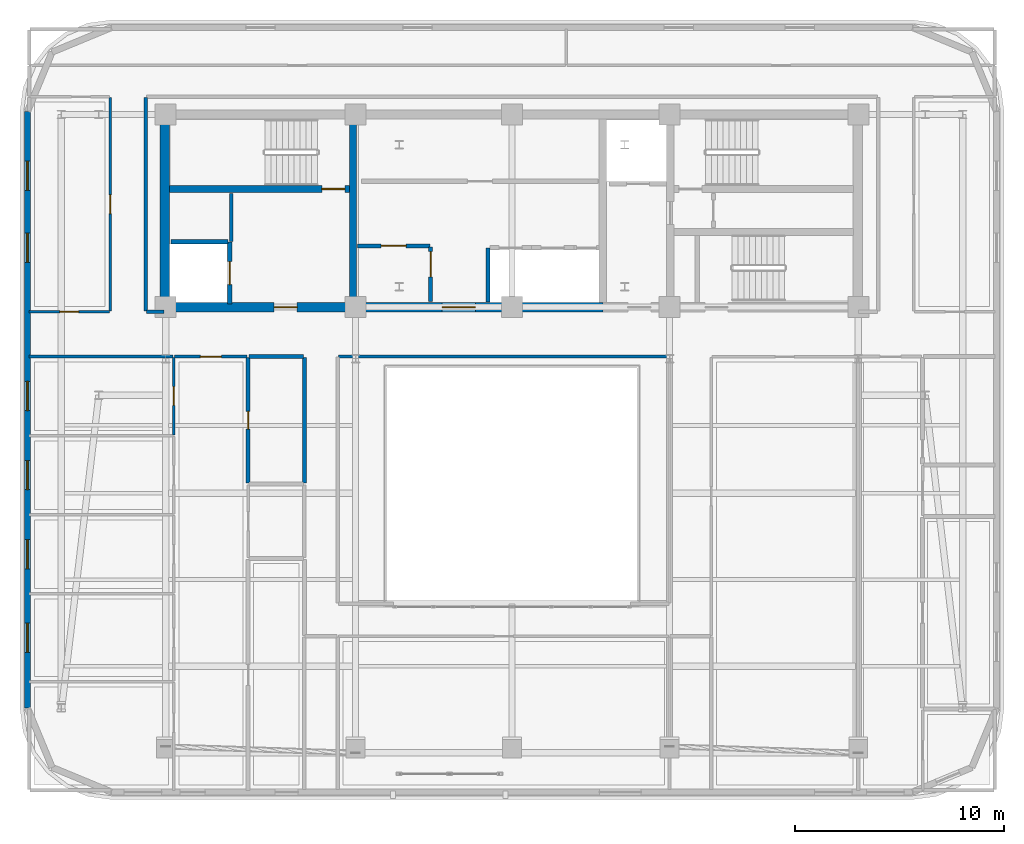
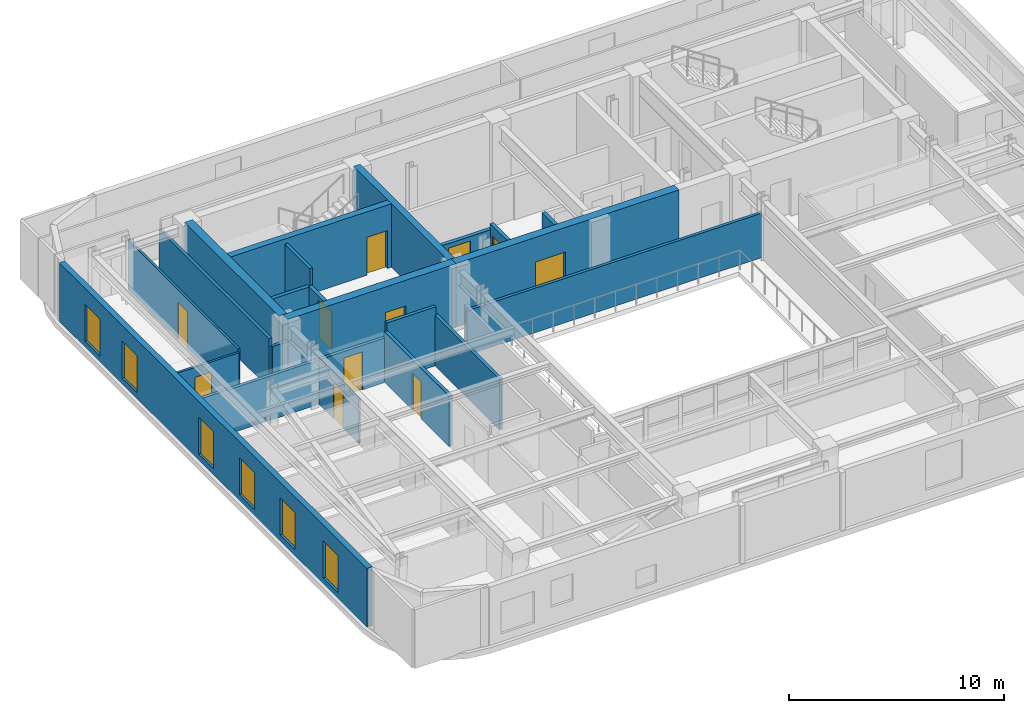
# One storey, part 7 of 14: 23 walls, 11 doors, 6 windows, 17 openings.
"""IFC4 building model written with IfcOpenShell, lengths in metres."""

from ifc_helpers import new_model, si_unit, direction, frame, frame_2d, origin, place, context, subcontext, project, spatial, rectangle, extrude, material, layer, layer_set, type_object, element, fill, save


model = new_model("IFC4")

# Units and contexts
model_context = context("Model", 3, precision=1e-05, world=origin(), true_north=direction((0.0, 1.0)))
body_context = subcontext(model_context, "Body", "Model", "MODEL_VIEW")
ifc_project = project(units=[si_unit("LENGTHUNIT", "METRE"), si_unit("AREAUNIT", "SQUARE_METRE"), si_unit("VOLUMEUNIT", "CUBIC_METRE"), si_unit("PLANEANGLEUNIT", "RADIAN"), si_unit("MASSUNIT", "GRAM", prefix="KILO")], contexts=[model_context])

# Site, building, storey
site_placement = place(None, origin())
site = spatial("IfcSite", under=ifc_project, at=site_placement, CompositionType="ELEMENT")
building_placement = place(site_placement, origin())
building = spatial("IfcBuilding", under=site, at=building_placement, Name="Zarnavel Station Tower", CompositionType="ELEMENT")
storey_placement = place(building_placement, frame((0.0, 0.0, 214.800048828125)))
storey = spatial("IfcBuildingStorey", under=building, at=storey_placement, Name="L58", CompositionType="ELEMENT", Elevation=214.800048828125)

# Wall
ifc_material_1 = material(Name="Concrete C50/60", Category="concrete")
ifc_layer_1 = layer(ifc_material_1, 0.35009765625)
ifc_layer_set_1 = layer_set([ifc_layer_1], Name="CW_350")
wall_type_1 = type_object("IfcWallType", Name="CW_350", PredefinedType="SHEAR", material=ifc_layer_set_1)
wall_1_placement = place(storey_placement, frame((21.179931640625, 28.044921875, 0.0), z_axis=(0.0, 0.0, 1.0), x_axis=(0.0, 1.0, 0.0)))
element("IfcWall", 1, at=wall_1_placement, inside=storey, type_object=wall_type_1, Name="L58 Rear Core Shear Wall DIV-W", PredefinedType="SHEAR", context=body_context, shape_type="SweptSolid", body=[
    extrude(rectangle(XDim=8.780029296875, YDim=0.35009765625, at=frame_2d((4.39013671875, 0.0))), origin(), (0.0, 0.0, 1.0), 3.599853515625),
])

# Wall, opening, door
wall_2_placement = place(storey_placement, frame((21.0048828125, 33.47998046875, 0.0), z_axis=(0.0, 0.0, 1.0), x_axis=(-1.0, 0.0, 0.0)))
wall_2 = element("IfcWall", 2, at=wall_2_placement, inside=storey, type_object=wall_type_1, Name="L58 Rear Core Shear Wall DIV-H1", PredefinedType="SHEAR", context=body_context, shape_type="SweptSolid", body=[
    extrude(rectangle(XDim=8.6298828125, YDim=0.35009765625, at=frame_2d((4.31494140625, 0.0))), origin(), (0.0, 0.0, 1.0), 3.599853515625),
])
opening_1_placement = place(wall_2_placement, frame((0.219970703125, 0.0, 0.0)))
opening_1 = element("IfcOpeningElement", 3, at=opening_1_placement, cuts=wall_2, Name="Opening FD01", PredefinedType="OPENING", context=body_context, shape_type="SweptSolid", body=[
    extrude(rectangle(XDim=1.10009765625, YDim=2.14990234375, at=frame_2d((0.550048828125, 1.074951171875))), frame((0.0, 0.18505859375, 0.0), z_axis=(0.0, -1.0, 0.0), x_axis=(1.0, 0.0, 0.0)), (0.0, 0.0, 1.0), 0.3701171875),
])
ifc_material_2 = material(Name="Painted Galvanised Steel and Hardwood Leaf", Category="steel")
door_type_1 = type_object("IfcDoorType", Name="ID_STAIR_1100", OperationType="NOTDEFINED", PredefinedType="DOOR", material=ifc_material_2)
door_1_placement = place(opening_1_placement, origin())
door_1 = element("IfcDoor", 4, at=door_1_placement, inside=storey, type_object=door_type_1, Name="L58 Stair ST1 Lobby Fire Door", OperationType="SINGLE_SWING_LEFT", OverallHeight=2.14990234375, OverallWidth=1.10009765625, PredefinedType="DOOR", context=body_context, shape_type="SweptSolid", body=[
    extrude(rectangle(XDim=1.10009765625, YDim=2.14990234375, at=frame_2d((0.550048828125, 1.074951171875))), frame((0.0, 0.02490234375, 0.0), z_axis=(0.0, -1.0, 0.0), x_axis=(1.0, 0.0, 0.0)), (0.0, 0.0, 1.0), 0.050048828125),
])
fill(opening_1, door_1)

ifc_material_3 = material(Name="Concrete C50/60", Category="concrete")
ifc_layer_2 = layer(ifc_material_3, 0.449951171875)
ifc_layer_set_2 = layer_set([ifc_layer_2], Name="CW_450")
wall_type_2 = type_object("IfcWallType", Name="CW_450", PredefinedType="SHEAR", material=ifc_layer_set_2)
wall_3_placement = place(storey_placement, frame((21.179931640625, 27.820068359375, 0.0), z_axis=(0.0, 0.0, 1.0), x_axis=(-1.0, 0.0, 0.0)))
wall_3 = element("IfcWall", 5, at=wall_3_placement, inside=storey, type_object=wall_type_2, Name="L58 Rear Core Shear Wall S-W", PredefinedType="SHEAR", context=body_context, shape_type="SweptSolid", body=[
    extrude(rectangle(XDim=9.030029296875, YDim=0.449951171875, at=frame_2d((4.51513671875, 0.0))), origin(), (0.0, 0.0, 1.0), 3.599853515625),
])
opening_2_placement = place(wall_3_placement, frame((2.679931640625, 0.0, 0.0)))
opening_2 = element("IfcOpeningElement", 6, at=opening_2_placement, cuts=wall_3, Name="Opening FD01", PredefinedType="OPENING", context=body_context, shape_type="SweptSolid", body=[
    extrude(rectangle(XDim=1.10009765625, YDim=2.14990234375, at=frame_2d((0.550048828125, 1.074951171875))), frame((0.0, 0.23486328125, 0.0), z_axis=(0.0, -1.0, 0.0), x_axis=(1.0, 0.0, 0.0)), (0.0, 0.0, 1.0), 0.469970703125),
])
door_2_placement = place(opening_2_placement, origin())
door_2 = element("IfcDoor", 7, at=door_2_placement, inside=storey, type_object=door_type_1, Name="L58 West Firefighting Lobby Door", OperationType="SINGLE_SWING_RIGHT", OverallHeight=2.14990234375, OverallWidth=1.10009765625, PredefinedType="DOOR", context=body_context, shape_type="SweptSolid", body=[
    extrude(rectangle(XDim=1.10009765625, YDim=2.14990234375, at=frame_2d((0.550048828125, 1.074951171875))), frame((0.0, 0.02490234375, 0.0), z_axis=(0.0, -1.0, 0.0), x_axis=(1.0, 0.0, 0.0)), (0.0, 0.0, 1.0), 0.050048828125),
])
fill(opening_2, door_2)

wall_4_placement = place(storey_placement, frame((33.14990234375, 27.820068359375, 0.0), z_axis=(0.0, 0.0, 1.0), x_axis=(-1.0, 0.0, 0.0)))
wall_4 = element("IfcWall", 8, at=wall_4_placement, inside=storey, type_object=wall_type_2, Name="L58 Rear Core Shear Wall S-M", PredefinedType="SHEAR", context=body_context, shape_type="SweptSolid", body=[
    extrude(rectangle(XDim=11.969970703125, YDim=0.449951171875, at=frame_2d((5.98486328125, 0.0))), origin(), (0.0, 0.0, 1.0), 3.599853515625),
])
opening_3_placement = place(wall_4_placement, frame((6.10009765625, 0.0, 0.0)))
opening_3 = element("IfcOpeningElement", 9, at=opening_3_placement, cuts=wall_4, Name="Opening ID03", PredefinedType="OPENING", context=body_context, shape_type="SweptSolid", body=[
    extrude(rectangle(XDim=1.60009765625, YDim=2.199951171875, at=frame_2d((0.800048828125, 1.10009765625))), frame((0.0, 0.23486328125, 0.0), z_axis=(0.0, -1.0, 0.0), x_axis=(1.0, 0.0, 0.0)), (0.0, 0.0, 1.0), 0.469970703125),
])
ifc_material_4 = material(Name="Painted Galvanised Steel and Hardwood Leaf", Category="steel")
door_type_2 = type_object("IfcDoorType", Name="ID_PUBLIC_1600", OperationType="DOUBLE_DOOR_SINGLE_SWING", PredefinedType="DOOR", material=ifc_material_4)
door_3_placement = place(opening_3_placement, origin())
door_3 = element("IfcDoor", 10, at=door_3_placement, inside=storey, type_object=door_type_2, Name="L58 Passenger Lift Lobby Double Door", OperationType="SINGLE_SWING_LEFT", OverallHeight=2.199951171875, OverallWidth=1.60009765625, PredefinedType="DOOR", context=body_context, shape_type="SweptSolid", body=[
    extrude(rectangle(XDim=1.60009765625, YDim=2.199951171875, at=frame_2d((0.800048828125, 1.10009765625))), frame((0.0, 0.02490234375, 0.0), z_axis=(0.0, -1.0, 0.0), x_axis=(1.0, 0.0, 0.0)), (0.0, 0.0, 1.0), 0.050048828125),
])
fill(opening_3, door_3)

# Wall
wall_5_placement = place(storey_placement, frame((12.14990234375, 28.044921875, 0.0), z_axis=(0.0, 0.0, 1.0), x_axis=(0.0, 1.0, 0.0)))
element("IfcWall", 11, at=wall_5_placement, inside=storey, type_object=wall_type_2, Name="L58 Rear Core Shear Wall W", PredefinedType="SHEAR", context=body_context, shape_type="SweptSolid", body=[
    extrude(rectangle(XDim=8.780029296875, YDim=0.449951171875, at=frame_2d((4.39013671875, 0.0))), origin(), (0.0, 0.0, 1.0), 3.599853515625),
])

# Wall, openings, windows
ifc_material_5 = material(Name="Precast concrete C45/55 (Dark Basalt Finish)", Category="masonry")
ifc_layer_3 = layer(ifc_material_5, 0.300048828125)
ifc_layer_set_3 = layer_set([ifc_layer_3], Name="EW_BASALT_300")
wall_type_3 = type_object("IfcWallType", Name="EW_BASALT_300", PredefinedType="SOLIDWALL", material=ifc_layer_set_3)
wall_6_placement = place(storey_placement, frame((5.580078125, 8.60009765625, 0.0), z_axis=(0.0, 0.0, 1.0), x_axis=(0.0, 1.0, 0.0)))
wall_6 = element("IfcWall", 12, at=wall_6_placement, inside=storey, type_object=wall_type_3, Name="L58 Exterior Basalt Masonry Frame Wall 09", PredefinedType="SOLIDWALL", context=body_context, shape_type="SweptSolid", body=[
    extrude(rectangle(XDim=28.599853515625, YDim=0.300048828125, at=frame_2d((14.2998046875, 0.0))), origin(), (0.0, 0.0, 1.0), 3.33984375),
])
opening_4_placement = place(wall_6_placement, frame((21.360107421875, 0.0, 0.340087890625)))
opening_4 = element("IfcOpeningElement", 13, at=opening_4_placement, cuts=wall_6, Name="Opening WN04", PredefinedType="OPENING", context=body_context, shape_type="SweptSolid", body=[
    extrude(rectangle(XDim=1.39990234375, YDim=2.10009765625, at=frame_2d((0.699951171875, 1.050048828125))), frame((0.0, 0.159912109375, 0.0), z_axis=(0.0, -1.0, 0.0), x_axis=(1.0, 0.0, 0.0)), (0.0, 0.0, 1.0), 0.320068359375),
])
opening_5_placement = place(wall_6_placement, frame((24.820068359375, 0.0, 0.340087890625)))
opening_5 = element("IfcOpeningElement", 14, at=opening_5_placement, cuts=wall_6, Name="Opening WN04", PredefinedType="OPENING", context=body_context, shape_type="SweptSolid", body=[
    extrude(rectangle(XDim=1.39990234375, YDim=2.10009765625, at=frame_2d((0.699951171875, 1.050048828125))), frame((0.0, 0.159912109375, 0.0), z_axis=(0.0, -1.0, 0.0), x_axis=(1.0, 0.0, 0.0)), (0.0, 0.0, 1.0), 0.320068359375),
])
opening_6_placement = place(wall_6_placement, frame((2.6708984375, 0.0, 0.340087890625)))
opening_6 = element("IfcOpeningElement", 15, at=opening_6_placement, cuts=wall_6, Name="Opening WN04", PredefinedType="OPENING", context=body_context, shape_type="SweptSolid", body=[
    extrude(rectangle(XDim=1.39990234375, YDim=2.10009765625, at=frame_2d((0.699951171875, 1.050048828125))), frame((0.0, 0.159912109375, 0.0), z_axis=(0.0, -1.0, 0.0), x_axis=(1.0, 0.0, 0.0)), (0.0, 0.0, 1.0), 0.320068359375),
])
opening_7_placement = place(wall_6_placement, frame((6.678955078125, 0.0, 0.340087890625)))
opening_7 = element("IfcOpeningElement", 16, at=opening_7_placement, cuts=wall_6, Name="Opening WN04", PredefinedType="OPENING", context=body_context, shape_type="SweptSolid", body=[
    extrude(rectangle(XDim=1.39990234375, YDim=2.10009765625, at=frame_2d((0.699951171875, 1.050048828125))), frame((0.0, 0.159912109375, 0.0), z_axis=(0.0, -1.0, 0.0), x_axis=(1.0, 0.0, 0.0)), (0.0, 0.0, 1.0), 0.320068359375),
])
opening_8_placement = place(wall_6_placement, frame((10.467041015625, 0.0, 0.340087890625)))
opening_8 = element("IfcOpeningElement", 17, at=opening_8_placement, cuts=wall_6, Name="Opening WN04", PredefinedType="OPENING", context=body_context, shape_type="SweptSolid", body=[
    extrude(rectangle(XDim=1.39990234375, YDim=2.10009765625, at=frame_2d((0.699951171875, 1.050048828125))), frame((0.0, 0.159912109375, 0.0), z_axis=(0.0, -1.0, 0.0), x_axis=(1.0, 0.0, 0.0)), (0.0, 0.0, 1.0), 0.320068359375),
])
opening_9_placement = place(wall_6_placement, frame((14.255615234375, 0.0, 0.340087890625)))
opening_9 = element("IfcOpeningElement", 18, at=opening_9_placement, cuts=wall_6, Name="Opening WN04", PredefinedType="OPENING", context=body_context, shape_type="SweptSolid", body=[
    extrude(rectangle(XDim=1.39990234375, YDim=2.10009765625, at=frame_2d((0.699951171875, 1.050048828125))), frame((0.0, 0.159912109375, 0.0), z_axis=(0.0, -1.0, 0.0), x_axis=(1.0, 0.0, 0.0)), (0.0, 0.0, 1.0), 0.320068359375),
])
ifc_material_6 = material(Name="Thermally Broken Black Aluminium and Low-E Dark Glass", Category="aluminium")
window_type = type_object("IfcWindowType", Name="WN_1400x2100", PartitioningType="DOUBLE_PANEL_VERTICAL", PredefinedType="WINDOW", material=ifc_material_6)
window_1_placement = place(opening_4_placement, origin())
window_1 = element("IfcWindow", 19, at=window_1_placement, inside=storey, type_object=window_type, Name="L58 Recessed Facade Window 01", OverallHeight=2.10009765625, OverallWidth=1.39990234375, PartitioningType="SINGLE_PANEL", PredefinedType="WINDOW", context=body_context, shape_type="SweptSolid", body=[
    extrude(rectangle(XDim=1.39990234375, YDim=2.10009765625, at=frame_2d((0.699951171875, 1.050048828125))), frame((0.0, 0.030029296875, 0.0), z_axis=(0.0, -1.0, 0.0), x_axis=(1.0, 0.0, 0.0)), (0.0, 0.0, 1.0), 0.06005859375),
])
fill(opening_4, window_1)
window_2_placement = place(opening_5_placement, origin())
window_2 = element("IfcWindow", 20, at=window_2_placement, inside=storey, type_object=window_type, Name="L58 Recessed Facade Window 02", OverallHeight=2.10009765625, OverallWidth=1.39990234375, PartitioningType="SINGLE_PANEL", PredefinedType="WINDOW", context=body_context, shape_type="SweptSolid", body=[
    extrude(rectangle(XDim=1.39990234375, YDim=2.10009765625, at=frame_2d((0.699951171875, 1.050048828125))), frame((0.0, 0.030029296875, 0.0), z_axis=(0.0, -1.0, 0.0), x_axis=(1.0, 0.0, 0.0)), (0.0, 0.0, 1.0), 0.06005859375),
])
fill(opening_5, window_2)
window_3_placement = place(opening_6_placement, origin())
window_3 = element("IfcWindow", 21, at=window_3_placement, inside=storey, type_object=window_type, Name="L58 Recessed Facade Window 03", OverallHeight=2.10009765625, OverallWidth=1.39990234375, PartitioningType="SINGLE_PANEL", PredefinedType="WINDOW", context=body_context, shape_type="SweptSolid", body=[
    extrude(rectangle(XDim=1.39990234375, YDim=2.10009765625, at=frame_2d((0.699951171875, 1.050048828125))), frame((0.0, 0.030029296875, 0.0), z_axis=(0.0, -1.0, 0.0), x_axis=(1.0, 0.0, 0.0)), (0.0, 0.0, 1.0), 0.06005859375),
])
fill(opening_6, window_3)
window_4_placement = place(opening_7_placement, origin())
window_4 = element("IfcWindow", 22, at=window_4_placement, inside=storey, type_object=window_type, Name="L58 Recessed Facade Window 04", OverallHeight=2.10009765625, OverallWidth=1.39990234375, PartitioningType="SINGLE_PANEL", PredefinedType="WINDOW", context=body_context, shape_type="SweptSolid", body=[
    extrude(rectangle(XDim=1.39990234375, YDim=2.10009765625, at=frame_2d((0.699951171875, 1.050048828125))), frame((0.0, 0.030029296875, 0.0), z_axis=(0.0, -1.0, 0.0), x_axis=(1.0, 0.0, 0.0)), (0.0, 0.0, 1.0), 0.06005859375),
])
fill(opening_7, window_4)
window_5_placement = place(opening_8_placement, origin())
window_5 = element("IfcWindow", 23, at=window_5_placement, inside=storey, type_object=window_type, Name="L58 Recessed Facade Window 05", OverallHeight=2.10009765625, OverallWidth=1.39990234375, PartitioningType="SINGLE_PANEL", PredefinedType="WINDOW", context=body_context, shape_type="SweptSolid", body=[
    extrude(rectangle(XDim=1.39990234375, YDim=2.10009765625, at=frame_2d((0.699951171875, 1.050048828125))), frame((0.0, 0.030029296875, 0.0), z_axis=(0.0, -1.0, 0.0), x_axis=(1.0, 0.0, 0.0)), (0.0, 0.0, 1.0), 0.06005859375),
])
fill(opening_8, window_5)
window_6_placement = place(opening_9_placement, origin())
window_6 = element("IfcWindow", 24, at=window_6_placement, inside=storey, type_object=window_type, Name="L58 Recessed Facade Window 06", OverallHeight=2.10009765625, OverallWidth=1.39990234375, PartitioningType="SINGLE_PANEL", PredefinedType="WINDOW", context=body_context, shape_type="SweptSolid", body=[
    extrude(rectangle(XDim=1.39990234375, YDim=2.10009765625, at=frame_2d((0.699951171875, 1.050048828125))), frame((0.0, 0.030029296875, 0.0), z_axis=(0.0, -1.0, 0.0), x_axis=(1.0, 0.0, 0.0)), (0.0, 0.0, 1.0), 0.06005859375),
])
fill(opening_9, window_6)

# Wall, opening, door
ifc_material_7 = material(Name="Gypsum Twin-Stud Acoustic Fire Partition", Category="concrete")
ifc_layer_4 = layer(ifc_material_7, 0.159912109375)
ifc_layer_set_4 = layer_set([ifc_layer_4], Name="PT_DEMISE_160")
wall_type_4 = type_object("IfcWallType", Name="PT_DEMISE_160", PredefinedType="PARTITIONING", material=ifc_layer_set_4)
wall_7_placement = place(storey_placement, frame((12.631103515625, 25.449951171875, 0.0), z_axis=(0.0, 0.0, 1.0), x_axis=(1.0, 0.0, 0.0)))
wall_7 = element("IfcWall", 25, at=wall_7_placement, inside=storey, type_object=wall_type_4, Name="L58 Partition COR-S-UW1LV", PredefinedType="PARTITIONING", context=body_context, shape_type="SweptSolid", body=[
    extrude(rectangle(XDim=3.47900390625, YDim=0.159912109375, at=frame_2d((1.739501953125, 0.0))), origin(), (0.0, 0.0, 1.0), 2.52001953125),
])
opening_10_placement = place(wall_7_placement, frame((1.239501953125, 0.0, 0.0)))
opening_10 = element("IfcOpeningElement", 26, at=opening_10_placement, cuts=wall_7, Name="Opening FD02", PredefinedType="OPENING", context=body_context, shape_type="SweptSolid", body=[
    extrude(rectangle(XDim=1.0, YDim=2.14990234375, at=frame_2d((0.5, 1.074951171875))), frame((0.0, 0.08984375, 0.0), z_axis=(0.0, -1.0, 0.0), x_axis=(1.0, 0.0, 0.0)), (0.0, 0.0, 1.0), 0.179931640625),
])
ifc_material_8 = material(Name="Painted Galvanised Steel and Hardwood Leaf", Category="steel")
door_type_3 = type_object("IfcDoorType", Name="ID_ENTRY_1000", OperationType="NOTDEFINED", PredefinedType="DOOR", material=ifc_material_8)
door_4_placement = place(opening_10_placement, origin())
door_4 = element("IfcDoor", 27, at=door_4_placement, inside=storey, type_object=door_type_3, Name="L58 Door COR-S-UW1LV", OperationType="SINGLE_SWING_RIGHT", OverallHeight=2.14990234375, OverallWidth=1.0, PredefinedType="DOOR", context=body_context, shape_type="SweptSolid", body=[
    extrude(rectangle(XDim=1.0, YDim=2.14990234375, at=frame_2d((0.5, 1.074951171875))), frame((0.0, 0.02490234375, 0.0), z_axis=(0.0, -1.0, 0.0), x_axis=(1.0, 0.0, 0.0)), (0.0, 0.0, 1.0), 0.050048828125),
])
fill(opening_10, door_4)

# Walls
wall_8_placement = place(storey_placement, frame((5.659912109375, 25.449951171875, 0.0), z_axis=(0.0, 0.0, 1.0), x_axis=(1.0, 0.0, 0.0)))
element("IfcWall", 28, at=wall_8_placement, inside=storey, type_object=wall_type_4, Name="L58 Partition COR-S-UW1B5", PredefinedType="PARTITIONING", context=body_context, shape_type="SweptSolid", body=[
    extrude(rectangle(XDim=6.89111328125, YDim=0.159912109375, at=frame_2d((3.445556640625, 0.0))), origin(), (0.0, 0.0, 1.0), 2.52001953125),
])
wall_9_placement = place(storey_placement, frame((15.35009765625, 30.9599609375, 0.0), z_axis=(0.0, 0.0, 1.0), x_axis=(0.0, 1.0, 0.0)))
element("IfcWall", 29, at=wall_9_placement, inside=storey, type_object=wall_type_4, Name="L58 Enclosure Wall FFL1", PredefinedType="PARTITIONING", context=body_context, shape_type="SweptSolid", body=[
    extrude(rectangle(XDim=2.31005859375, YDim=0.159912109375, at=frame_2d((1.155029296875, 0.0))), origin(), (0.0, 0.0, 1.0), 3.33984375),
])
wall_10_placement = place(storey_placement, frame((20.47998046875, 25.449951171875, 0.0), z_axis=(0.0, 0.0, 1.0), x_axis=(1.0, 0.0, 0.0)))
element("IfcWall", 30, at=wall_10_placement, inside=storey, type_object=wall_type_4, Name="L58 Enclosure Wall COR-S", PredefinedType="PARTITIONING", context=body_context, shape_type="SweptSolid", body=[
    extrude(rectangle(XDim=15.840087890625, YDim=0.159912109375, at=frame_2d((7.919921875, 0.0))), origin(), (0.0, 0.0, 1.0), 2.52001953125),
])
wall_11_placement = place(storey_placement, frame((11.280029296875, 27.60009765625, 0.0), z_axis=(0.0, 0.0, 1.0), x_axis=(1.0, 0.0, 0.0)))
element("IfcWall", 31, at=wall_11_placement, inside=storey, type_object=wall_type_4, Name="L58 Enclosure Wall COR-S", PredefinedType="PARTITIONING", context=body_context, shape_type="SweptSolid", body=[
    extrude(rectangle(XDim=0.840087890625, YDim=0.159912109375, at=frame_2d((0.419921875, 0.0))), origin(), (0.0, 0.0, 1.0), 2.409912109375),
])
wall_12_placement = place(storey_placement, frame((11.25, 27.6298828125, 0.0), z_axis=(0.0, 0.0, 1.0), x_axis=(0.0, 1.0, 0.0)))
element("IfcWall", 32, at=wall_12_placement, inside=storey, type_object=wall_type_4, Name="L58 Enclosure Wall COR-W", PredefinedType="PARTITIONING", context=body_context, shape_type="SweptSolid", body=[
    extrude(rectangle(XDim=10.240234375, YDim=0.159912109375, at=frame_2d((5.1201171875, 0.0))), origin(), (0.0, 0.0, 1.0), 2.820068359375),
])

# Wall, opening, door
ifc_material_9 = material(Name="Gypsum Metal-Stud Interior Partition", Category="concrete")
ifc_layer_5 = layer(ifc_material_9, 0.1201171875)
ifc_layer_set_5 = layer_set([ifc_layer_5], Name="PT_ROOM_120")
wall_type_5 = type_object("IfcWallType", Name="PT_ROOM_120", PredefinedType="PARTITIONING", material=ifc_layer_set_5)
wall_13_placement = place(storey_placement, frame((5.659912109375, 27.60009765625, 0.0), z_axis=(0.0, 0.0, 1.0), x_axis=(1.0, 0.0, 0.0)))
wall_13 = element("IfcWall", 33, at=wall_13_placement, inside=storey, type_object=wall_type_5, Name="L58 Partition COR-S-FNW", PredefinedType="PARTITIONING", context=body_context, shape_type="SweptSolid", body=[
    extrude(rectangle(XDim=3.85009765625, YDim=0.1201171875, at=frame_2d((1.925048828125, 0.0))), origin(), (0.0, 0.0, 1.0), 2.669921875),
])
opening_11_placement = place(wall_13_placement, frame((1.47509765625, 0.0, 0.0)))
opening_11 = element("IfcOpeningElement", 34, at=opening_11_placement, cuts=wall_13, Name="Opening ID01", PredefinedType="OPENING", context=body_context, shape_type="SweptSolid", body=[
    extrude(rectangle(XDim=0.89990234375, YDim=2.10009765625, at=frame_2d((0.449951171875, 1.050048828125))), frame((0.0, 0.070068359375, 0.0), z_axis=(0.0, -1.0, 0.0), x_axis=(1.0, 0.0, 0.0)), (0.0, 0.0, 1.0), 0.14013671875),
])
ifc_material_10 = material(Name="Painted Galvanised Steel and Hardwood Leaf", Category="steel")
door_type_4 = type_object("IfcDoorType", Name="ID_ROOM_900", OperationType="NOTDEFINED", PredefinedType="DOOR", material=ifc_material_10)
door_5_placement = place(opening_11_placement, origin())
door_5 = element("IfcDoor", 35, at=door_5_placement, inside=storey, type_object=door_type_4, Name="L58 Door COR-S-FNW", OperationType="SINGLE_SWING_RIGHT", OverallHeight=2.10009765625, OverallWidth=0.89990234375, PredefinedType="DOOR", context=body_context, shape_type="SweptSolid", body=[
    extrude(rectangle(XDim=0.89990234375, YDim=2.10009765625, at=frame_2d((0.449951171875, 1.050048828125))), frame((0.0, 0.02490234375, 0.0), z_axis=(0.0, -1.0, 0.0), x_axis=(1.0, 0.0, 0.0)), (0.0, 0.0, 1.0), 0.050048828125),
])
fill(opening_11, door_5)

wall_14_placement = place(storey_placement, frame((9.550048828125, 27.639892578125, 0.0), z_axis=(0.0, 0.0, 1.0), x_axis=(0.0, 1.0, 0.0)))
wall_14 = element("IfcWall", 36, at=wall_14_placement, inside=storey, type_object=wall_type_5, Name="L58 Partition COR-W-FNW", PredefinedType="PARTITIONING", context=body_context, shape_type="SweptSolid", body=[
    extrude(rectangle(XDim=10.22021484375, YDim=0.1201171875, at=frame_2d((5.110107421875, 0.0))), origin(), (0.0, 0.0, 1.0), 2.820068359375),
])
opening_12_placement = place(wall_14_placement, frame((4.659912109375, 0.0, 0.0)))
opening_12 = element("IfcOpeningElement", 37, at=opening_12_placement, cuts=wall_14, Name="Opening ID01", PredefinedType="OPENING", context=body_context, shape_type="SweptSolid", body=[
    extrude(rectangle(XDim=0.89990234375, YDim=2.10009765625, at=frame_2d((0.449951171875, 1.050048828125))), frame((0.0, 0.070068359375, 0.0), z_axis=(0.0, -1.0, 0.0), x_axis=(1.0, 0.0, 0.0)), (0.0, 0.0, 1.0), 0.14013671875),
])
door_6_placement = place(opening_12_placement, origin())
door_6 = element("IfcDoor", 38, at=door_6_placement, inside=storey, type_object=door_type_4, Name="L58 Door COR-W-FNW", OperationType="SINGLE_SWING_LEFT", OverallHeight=2.10009765625, OverallWidth=0.89990234375, PredefinedType="DOOR", context=body_context, shape_type="SweptSolid", body=[
    extrude(rectangle(XDim=0.89990234375, YDim=2.10009765625, at=frame_2d((0.449951171875, 1.050048828125))), frame((0.0, 0.02490234375, 0.0), z_axis=(0.0, -1.0, 0.0), x_axis=(1.0, 0.0, 0.0)), (0.0, 0.0, 1.0), 0.050048828125),
])
fill(opening_12, door_6)

wall_15_placement = place(storey_placement, frame((12.591064453125, 21.700927734375, 0.0), z_axis=(0.0, 0.0, 1.0), x_axis=(0.0, 1.0, 0.0)))
wall_15 = element("IfcWall", 39, at=wall_15_placement, inside=storey, type_object=wall_type_5, Name="L58 Partition UW1LV-UW1B5", PredefinedType="PARTITIONING", context=body_context, shape_type="SweptSolid", body=[
    extrude(rectangle(XDim=3.708984375, YDim=0.1201171875, at=frame_2d((1.8544921875, 0.0))), origin(), (0.0, 0.0, 1.0), 2.52001953125),
])
opening_13_placement = place(wall_15_placement, frame((1.404541015625, 0.0, 0.0)))
opening_13 = element("IfcOpeningElement", 40, at=opening_13_placement, cuts=wall_15, Name="Opening ID01", PredefinedType="OPENING", context=body_context, shape_type="SweptSolid", body=[
    extrude(rectangle(XDim=0.89990234375, YDim=2.10009765625, at=frame_2d((0.449951171875, 1.050048828125))), frame((0.0, 0.070068359375, 0.0), z_axis=(0.0, -1.0, 0.0), x_axis=(1.0, 0.0, 0.0)), (0.0, 0.0, 1.0), 0.14013671875),
])
door_7_placement = place(opening_13_placement, origin())
door_7 = element("IfcDoor", 41, at=door_7_placement, inside=storey, type_object=door_type_4, Name="L58 Door UW1LV-UW1B5", OperationType="SINGLE_SWING_RIGHT", OverallHeight=2.10009765625, OverallWidth=0.89990234375, PredefinedType="DOOR", context=body_context, shape_type="SweptSolid", body=[
    extrude(rectangle(XDim=0.89990234375, YDim=2.10009765625, at=frame_2d((0.449951171875, 1.050048828125))), frame((0.0, 0.02490234375, 0.0), z_axis=(0.0, -1.0, 0.0), x_axis=(1.0, 0.0, 0.0)), (0.0, 0.0, 1.0), 0.050048828125),
])
fill(opening_13, door_7)

ifc_material_11 = material(Name="Precast concrete C45/55 (Fire Shaft Blockwork)", Category="masonry")
ifc_layer_6 = layer(ifc_material_11, 0.199951171875)
ifc_layer_set_6 = layer_set([ifc_layer_6], Name="PT_SHAFT_200")
wall_type_6 = type_object("IfcWallType", Name="PT_SHAFT_200", PredefinedType="PARTITIONING", material=ifc_layer_set_6)
wall_16_placement = place(storey_placement, frame((15.27001953125, 27.969970703125, 0.0), z_axis=(0.0, 0.0, 1.0), x_axis=(0.0, 1.0, 0.0)))
wall_16 = element("IfcWall", 42, at=wall_16_placement, inside=storey, type_object=wall_type_6, Name="L58 Lift FFL-01 Shaft Front Wall", PredefinedType="PARTITIONING", context=body_context, shape_type="SweptSolid", body=[
    extrude(rectangle(XDim=2.9599609375, YDim=0.199951171875, at=frame_2d((1.47998046875, 0.0))), origin(), (0.0, 0.0, 1.0), 2.409912109375),
])
opening_14_placement = place(wall_16_placement, frame((0.929931640625, 0.0, 0.0)))
opening_14 = element("IfcOpeningElement", 43, at=opening_14_placement, cuts=wall_16, Name="Opening LD01", PredefinedType="OPENING", context=body_context, shape_type="SweptSolid", body=[
    extrude(rectangle(XDim=1.10009765625, YDim=2.14990234375, at=frame_2d((0.550048828125, 1.074951171875))), frame((0.0, 0.10986328125, 0.0), z_axis=(0.0, -1.0, 0.0), x_axis=(1.0, 0.0, 0.0)), (0.0, 0.0, 1.0), 0.219970703125),
])
ifc_material_12 = material(Name="Painted Galvanised Steel and Hardwood Leaf", Category="steel")
door_type_5 = type_object("IfcDoorType", Name="LD_FF_1100", OperationType="DOUBLE_DOOR_SLIDING", PredefinedType="DOOR", material=ifc_material_12)
door_8_placement = place(opening_14_placement, origin())
door_8 = element("IfcDoor", 44, at=door_8_placement, inside=storey, type_object=door_type_5, Name="L58 Lift FFL-01 Sliding Landing Door", OperationType="DOUBLE_DOOR_SLIDING", OverallHeight=2.14990234375, OverallWidth=1.10009765625, PredefinedType="DOOR", context=body_context, shape_type="SweptSolid", body=[
    extrude(rectangle(XDim=1.10009765625, YDim=2.14990234375, at=frame_2d((0.550048828125, 1.074951171875))), frame((0.0, 0.02490234375, 0.0), z_axis=(0.0, -1.0, 0.0), x_axis=(1.0, 0.0, 0.0)), (0.0, 0.0, 1.0), 0.050048828125),
])
fill(opening_14, door_8)

# Walls
wall_17_placement = place(storey_placement, frame((12.449951171875, 30.949951171875, 0.0), z_axis=(0.0, 0.0, 1.0), x_axis=(1.0, 0.0, 0.0)))
element("IfcWall", 45, at=wall_17_placement, inside=storey, type_object=wall_type_6, Name="L58 Lift FFL-01 North Shaft Wall", PredefinedType="PARTITIONING", context=body_context, shape_type="SweptSolid", body=[
    extrude(rectangle(XDim=2.75, YDim=0.199951171875, at=frame_2d((1.375, 0.0))), origin(), (0.0, 0.0, 1.0), 2.409912109375),
])
wall_18_placement = place(storey_placement, frame((27.64990234375, 28.070068359375, 0.0), z_axis=(0.0, 0.0, 1.0), x_axis=(0.0, 1.0, 0.0)))
element("IfcWall", 46, at=wall_18_placement, inside=storey, type_object=wall_type_6, Name="L58 High-Rise Lift Bank West Shaft Wall", PredefinedType="PARTITIONING", context=body_context, shape_type="SweptSolid", body=[
    extrude(rectangle(XDim=2.579833984375, YDim=0.199951171875, at=frame_2d((1.2900390625, 0.0))), origin(), (0.0, 0.0, 1.0), 2.409912109375),
])

# Wall, opening, door
wall_19_placement = place(storey_placement, frame((21.39990234375, 30.75, 0.0), z_axis=(0.0, 0.0, 1.0), x_axis=(1.0, 0.0, 0.0)))
wall_19 = element("IfcWall", 47, at=wall_19_placement, inside=storey, type_object=wall_type_6, Name="L58 Partition LLOB-CS1", PredefinedType="PARTITIONING", context=body_context, shape_type="SweptSolid", body=[
    extrude(rectangle(XDim=3.460205078125, YDim=0.199951171875, at=frame_2d((1.72998046875, 0.0))), origin(), (0.0, 0.0, 1.0), 2.409912109375),
])
opening_15_placement = place(wall_19_placement, frame((1.1298828125, 0.0, 0.0)))
opening_15 = element("IfcOpeningElement", 48, at=opening_15_placement, cuts=wall_19, Name="Opening FD03", PredefinedType="OPENING", context=body_context, shape_type="SweptSolid", body=[
    extrude(rectangle(XDim=1.199951171875, YDim=2.14990234375, at=frame_2d((0.60009765625, 1.074951171875))), frame((0.0, 0.10986328125, 0.0), z_axis=(0.0, -1.0, 0.0), x_axis=(1.0, 0.0, 0.0)), (0.0, 0.0, 1.0), 0.219970703125),
])
ifc_material_13 = material(Name="Painted Galvanised Steel and Hardwood Leaf", Category="steel")
door_type_6 = type_object("IfcDoorType", Name="ID_PLANT_1200", OperationType="NOTDEFINED", PredefinedType="DOOR", material=ifc_material_13)
door_9_placement = place(opening_15_placement, origin())
door_9 = element("IfcDoor", 49, at=door_9_placement, inside=storey, type_object=door_type_6, Name="L58 Door LLOB-CS1", OperationType="SINGLE_SWING_LEFT", OverallHeight=2.14990234375, OverallWidth=1.199951171875, PredefinedType="DOOR", context=body_context, shape_type="SweptSolid", body=[
    extrude(rectangle(XDim=1.199951171875, YDim=2.14990234375, at=frame_2d((0.60009765625, 1.074951171875))), frame((0.0, 0.02490234375, 0.0), z_axis=(0.0, -1.0, 0.0), x_axis=(1.0, 0.0, 0.0)), (0.0, 0.0, 1.0), 0.050048828125),
])
fill(opening_15, door_9)

wall_20_placement = place(storey_placement, frame((24.89990234375, 30.7099609375, 0.0), z_axis=(0.0, 0.0, 1.0), x_axis=(0.0, -1.0, 0.0)))
wall_20 = element("IfcWall", 50, at=wall_20_placement, inside=storey, type_object=wall_type_6, Name="L58 Partition LLOBS-CS1", PredefinedType="PARTITIONING", context=body_context, shape_type="SweptSolid", body=[
    extrude(rectangle(XDim=2.619873046875, YDim=0.199951171875, at=frame_2d((1.31005859375, 0.0))), origin(), (0.0, 0.0, 1.0), 2.719970703125),
])
opening_16_placement = place(wall_20_placement, frame((0.235107421875, 0.0, 0.0)))
opening_16 = element("IfcOpeningElement", 51, at=opening_16_placement, cuts=wall_20, Name="Opening FD03", PredefinedType="OPENING", context=body_context, shape_type="SweptSolid", body=[
    extrude(rectangle(XDim=1.199951171875, YDim=2.14990234375, at=frame_2d((0.60009765625, 1.074951171875))), frame((0.0, 0.10986328125, 0.0), z_axis=(0.0, -1.0, 0.0), x_axis=(1.0, 0.0, 0.0)), (0.0, 0.0, 1.0), 0.219970703125),
])
door_10_placement = place(opening_16_placement, origin())
door_10 = element("IfcDoor", 52, at=door_10_placement, inside=storey, type_object=door_type_6, Name="L58 Door LLOBS-CS1", OperationType="SINGLE_SWING_LEFT", OverallHeight=2.14990234375, OverallWidth=1.199951171875, PredefinedType="DOOR", context=body_context, shape_type="SweptSolid", body=[
    extrude(rectangle(XDim=1.199951171875, YDim=2.14990234375, at=frame_2d((0.60009765625, 1.074951171875))), frame((0.0, 0.02490234375, 0.0), z_axis=(0.0, -1.0, 0.0), x_axis=(1.0, 0.0, 0.0)), (0.0, 0.0, 1.0), 0.050048828125),
])
fill(opening_16, door_10)

# Walls
ifc_material_14 = material(Name="Moisture-Resistant Plumbing Chase Wall", Category="concrete")
ifc_layer_7 = layer(ifc_material_14, 0.179931640625)
ifc_layer_set_7 = layer_set([ifc_layer_7], Name="PW_PLUMB_180")
wall_type_7 = type_object("IfcWallType", Name="PW_PLUMB_180", PredefinedType="PLUMBINGWALL", material=ifc_layer_set_7)
wall_21_placement = place(storey_placement, frame((16.18994140625, 25.449951171875, 0.0), z_axis=(0.0, 0.0, 1.0), x_axis=(1.0, 0.0, 0.0)))
element("IfcWall", 53, at=wall_21_placement, inside=storey, type_object=wall_type_7, Name="L58 Partition COR-S-UW1BA", PredefinedType="PLUMBINGWALL", context=body_context, shape_type="SweptSolid", body=[
    extrude(rectangle(XDim=2.6201171875, YDim=0.179931640625, at=frame_2d((1.31005859375, 0.0))), origin(), (0.0, 0.0, 1.0), 3.33984375),
])
wall_22_placement = place(storey_placement, frame((18.85009765625, 19.37890625, 0.0), z_axis=(0.0, 0.0, 1.0), x_axis=(0.0, 1.0, 0.0)))
element("IfcWall", 54, at=wall_22_placement, inside=storey, type_object=wall_type_7, Name="L58 Partition COR-AW-UW1BA", PredefinedType="PLUMBINGWALL", context=body_context, shape_type="SweptSolid", body=[
    extrude(rectangle(XDim=6.031005859375, YDim=0.179931640625, at=frame_2d((3.015625, 0.0))), origin(), (0.0, 0.0, 1.0), 2.869873046875),
])

# Wall, opening, door
wall_23_placement = place(storey_placement, frame((16.14990234375, 19.37890625, 0.0), z_axis=(0.0, 0.0, 1.0), x_axis=(0.0, 1.0, 0.0)))
wall_23 = element("IfcWall", 55, at=wall_23_placement, inside=storey, type_object=wall_type_7, Name="L58 Partition UW1LV-UW1BA", PredefinedType="PLUMBINGWALL", context=body_context, shape_type="SweptSolid", body=[
    extrude(rectangle(XDim=6.031005859375, YDim=0.179931640625, at=frame_2d((3.015625, 0.0))), origin(), (0.0, 0.0, 1.0), 2.869873046875),
])
opening_17_placement = place(wall_23_placement, frame((2.590576171875, 0.0, 0.0)))
opening_17 = element("IfcOpeningElement", 56, at=opening_17_placement, cuts=wall_23, Name="Opening ID02", PredefinedType="OPENING", context=body_context, shape_type="SweptSolid", body=[
    extrude(rectangle(XDim=0.85009765625, YDim=2.10009765625, at=frame_2d((0.425048828125, 1.050048828125))), frame((0.0, 0.099853515625, 0.0), z_axis=(0.0, -1.0, 0.0), x_axis=(1.0, 0.0, 0.0)), (0.0, 0.0, 1.0), 0.199951171875),
])
ifc_material_15 = material(Name="Painted Galvanised Steel and Hardwood Leaf", Category="steel")
door_type_7 = type_object("IfcDoorType", Name="ID_BATH_850", OperationType="NOTDEFINED", PredefinedType="DOOR", material=ifc_material_15)
door_11_placement = place(opening_17_placement, origin())
door_11 = element("IfcDoor", 57, at=door_11_placement, inside=storey, type_object=door_type_7, Name="L58 Door UW1LV-UW1BA", OperationType="SINGLE_SWING_LEFT", OverallHeight=2.10009765625, OverallWidth=0.85009765625, PredefinedType="DOOR", context=body_context, shape_type="SweptSolid", body=[
    extrude(rectangle(XDim=0.85009765625, YDim=2.10009765625, at=frame_2d((0.425048828125, 1.050048828125))), frame((0.0, 0.02490234375, 0.0), z_axis=(0.0, -1.0, 0.0), x_axis=(1.0, 0.0, 0.0)), (0.0, 0.0, 1.0), 0.050048828125),
])
fill(opening_17, door_11)

save(model, "model.ifc")
